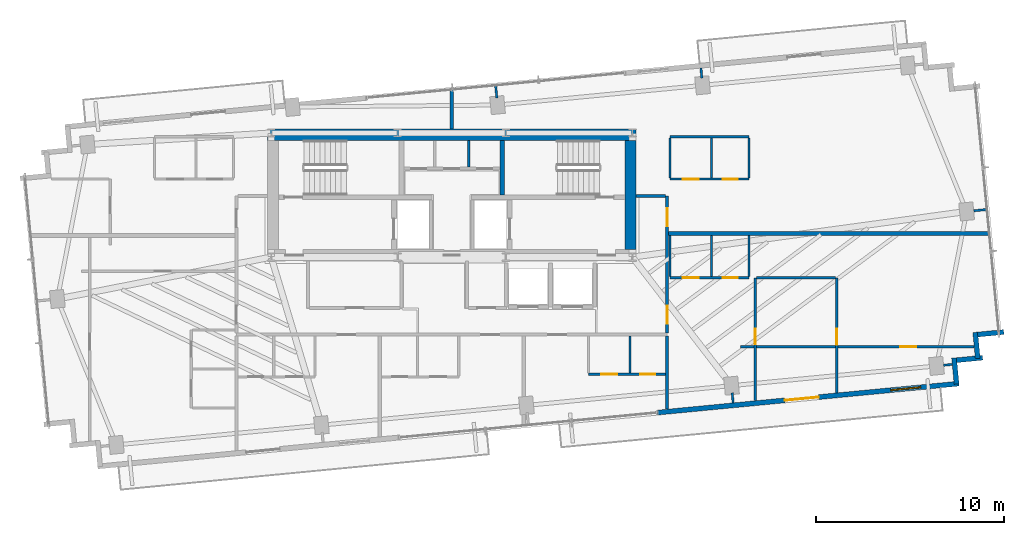
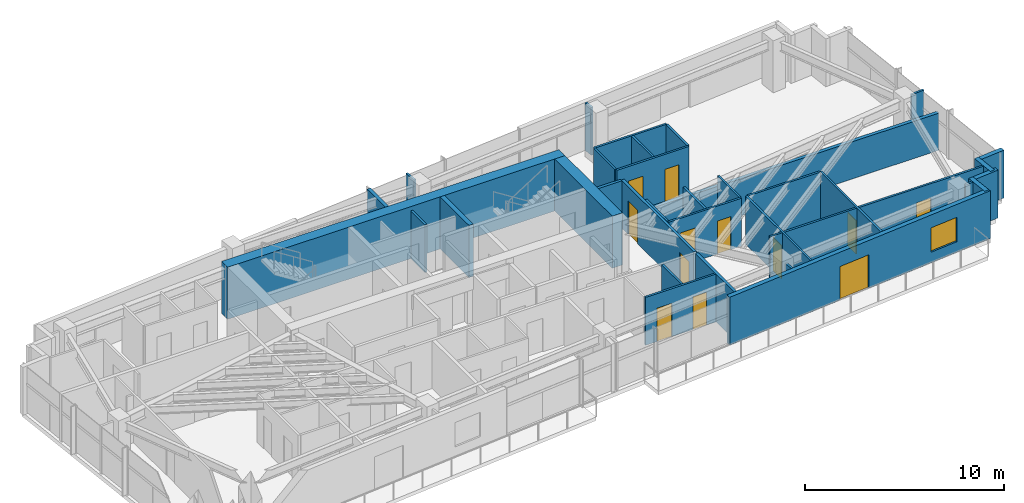
# One storey, part 15 of 18: 36 walls, 12 doors, 1 window, 13 openings.
"""IFC4 building model written with IfcOpenShell, lengths in metres."""

from ifc_helpers import new_model, si_unit, direction, frame, frame_2d, origin, place, context, subcontext, project, spatial, rectangle, extrude, source, transform, mapped, material, layer, layer_set, type_object, type_shapes, element, fill, save


model = new_model("IFC4")

# Units and contexts
model_context = context("Model", 3, precision=1e-05, world=origin(), true_north=direction((0.0, 1.0)))
body_context = subcontext(model_context, "Body", "Model", "MODEL_VIEW")
ifc_project = project(units=[si_unit("LENGTHUNIT", "METRE"), si_unit("AREAUNIT", "SQUARE_METRE"), si_unit("VOLUMEUNIT", "CUBIC_METRE"), si_unit("PLANEANGLEUNIT", "RADIAN"), si_unit("MASSUNIT", "GRAM", prefix="KILO")], contexts=[model_context])

# Site, building, storey
site_placement = place(None, origin())
site = spatial("IfcSite", under=ifc_project, at=site_placement, CompositionType="ELEMENT")
building_placement = place(site_placement, origin())
building = spatial("IfcBuilding", under=site, at=building_placement, Name="Astriad Promenade Condominiums", CompositionType="ELEMENT")
storey_placement = place(building_placement, frame((0.0, 0.0, 205.0)))
storey = spatial("IfcBuildingStorey", under=building, at=storey_placement, Name="L59", CompositionType="ELEMENT", Elevation=205.0)

# Walls
ifc_material_1 = material(Name="Concrete C50/60", Category="concrete")
ifc_layer_1 = layer(ifc_material_1, 0.60009765625)
ifc_layer_set_1 = layer_set([ifc_layer_1], Name="Concrete C50/60")
wall_type_1 = type_object("IfcWallType", Name="CW-SHEAR-600", PredefinedType="SHEAR", material=ifc_layer_set_1)
wall_1_placement = place(storey_placement, frame((26.199951171875, 23.89990234375, 0.0), z_axis=(0.0, 0.0, 1.0), x_axis=(1.0, 0.0, 0.0)))
element("IfcWall", 1, at=wall_1_placement, inside=storey, type_object=wall_type_1, Name="CW-CORE-N-L59", PredefinedType="SHEAR", context=body_context, shape_type="SweptSolid", body=[
    extrude(rectangle(XDim=19.60009765625, YDim=0.60009765625, at=frame_2d((9.800048828125, 0.0))), origin(), (0.0, 0.0, 1.0), 3.199951171875),
])
wall_2_placement = place(storey_placement, frame((45.5, 17.802001953125, 0.0), z_axis=(0.0, 0.0, 1.0), x_axis=(0.0, 1.0, 0.0)))
element("IfcWall", 2, at=wall_2_placement, inside=storey, type_object=wall_type_1, Name="CW-CORE-E-L59", PredefinedType="SHEAR", context=body_context, shape_type="SweptSolid", body=[
    extrude(rectangle(XDim=5.7958984375, YDim=0.60009765625, at=frame_2d((2.89794921875, 0.0))), origin(), (0.0, 0.0, 1.0), 3.199951171875),
])
ifc_layer_2 = layer(ifc_material_1, 0.25)
ifc_layer_set_2 = layer_set([ifc_layer_2], Name="Concrete C50/60")
wall_type_2 = type_object("IfcWallType", Name="WALL-CORE-INT-250", PredefinedType="SOLIDWALL", material=ifc_layer_set_2)
wall_3_placement = place(storey_placement, frame((38.675048828125, 20.701904296875, 0.0), z_axis=(0.0, 0.0, 1.0), x_axis=(0.0, 1.0, 0.0)))
element("IfcWall", 3, at=wall_3_placement, inside=storey, type_object=wall_type_2, Name="CW-ST2-W-L59", PredefinedType="SOLIDWALL", context=body_context, shape_type="SweptSolid", body=[
    extrude(rectangle(XDim=2.89599609375, YDim=0.25, at=frame_2d((1.447998046875, 0.0))), origin(), (0.0, 0.0, 1.0), 3.199951171875),
])
ifc_material_2 = material(Name="Fire-Rated Gypsum Partition")
ifc_layer_3 = layer(ifc_material_2, 0.159912109375)
ifc_layer_set_3 = layer_set([ifc_layer_3], Name="Fire-Rated Gypsum Partition")
wall_type_3 = type_object("IfcWallType", Name="WALL-CORR-160", PredefinedType="PARTITIONING", material=ifc_layer_set_3)
wall_4_placement = place(storey_placement, frame((47.449951171875, 9.315185546875, 0.0), z_axis=(0.0, 0.0, 1.0), x_axis=(0.0, 1.0, 0.0)))
element("IfcWall", 4, at=wall_4_placement, inside=storey, type_object=wall_type_3, Name="PT-COR-E-L59", PredefinedType="PARTITIONING", context=body_context, shape_type="SweptSolid", body=[
    extrude(rectangle(XDim=3.8828125, YDim=0.159912109375, at=frame_2d((1.94140625, 0.0))), origin(), (0.0, 0.0, 1.0), 2.93994140625),
])

# Wall, openings, doors
wall_5_placement = place(storey_placement, frame((47.449951171875, 13.362060546875, 0.0), z_axis=(0.0, 0.0, 1.0), x_axis=(0.0, 1.0, 0.0)))
wall_5 = element("IfcWall", 5, at=wall_5_placement, inside=storey, type_object=wall_type_3, Name="PT-COR-E-L59-S2", PredefinedType="PARTITIONING", context=body_context, shape_type="SweptSolid", body=[
    extrude(rectangle(XDim=7.287841796875, YDim=0.159912109375, at=frame_2d((3.64404296875, 0.0))), origin(), (0.0, 0.0, 1.0), 2.93994140625),
])
opening_1_placement = place(wall_5_placement, frame((0.492919921875, 0.0, 0.0)))
opening_1 = element("IfcOpeningElement", 6, at=opening_1_placement, cuts=wall_5, Name="Opening FD60-APT-095", PredefinedType="OPENING", context=body_context, shape_type="SweptSolid", body=[
    extrude(rectangle(XDim=0.949951171875, YDim=2.06005859375, at=frame_2d((0.47509765625, 1.030029296875))), frame((0.0, 0.08984375, 0.0), z_axis=(0.0, -1.0, 0.0), x_axis=(1.0, 0.0, 0.0)), (0.0, 0.0, 1.0), 0.179931640625),
])
opening_2_placement = place(wall_5_placement, frame((5.680908203125, 0.0, 0.0)))
opening_2 = element("IfcOpeningElement", 7, at=opening_2_placement, cuts=wall_5, Name="Opening FD60-APT-095", PredefinedType="OPENING", context=body_context, shape_type="SweptSolid", body=[
    extrude(rectangle(XDim=0.949951171875, YDim=2.06005859375, at=frame_2d((0.47509765625, 1.030029296875))), frame((0.0, 0.08984375, 0.0), z_axis=(0.0, -1.0, 0.0), x_axis=(1.0, 0.0, 0.0)), (0.0, 0.0, 1.0), 0.179931640625),
])
ifc_material_3 = material(Name="Solid-Core Acoustic Timber Residence Entry Door", Category="wood")
door_type_1 = type_object("IfcDoorType", Name="FD60-APT-095", OperationType="NOTDEFINED", PredefinedType="DOOR", material=ifc_material_3)
shared_shape_1 = source(origin(), body_context, "Body", "SweptSolid", [
    extrude(rectangle(XDim=0.949951171875, YDim=2.06005859375, at=frame_2d((0.47509765625, 1.030029296875))), frame((0.0, 0.02490234375, 0.0), z_axis=(0.0, -1.0, 0.0), x_axis=(1.0, 0.0, 0.0)), (0.0, 0.0, 1.0), 0.050048828125),
])
type_shapes(door_type_1, [shared_shape_1])
door_1_placement = place(opening_1_placement, origin())
door_1 = element("IfcDoor", 8, at=door_1_placement, inside=storey, type_object=door_type_1, Name="D-ENT-L59-E1", OperationType="SINGLE_SWING_LEFT", OverallHeight=2.06005859375, OverallWidth=0.949951171875, PredefinedType="DOOR", context=body_context, shape_type="MappedRepresentation", body=[
    mapped(shared_shape_1, transform((0.0, 0.0, 0.0), scale=1.0)),
])
fill(opening_1, door_1)
door_2_placement = place(opening_2_placement, origin())
door_2 = element("IfcDoor", 9, at=door_2_placement, inside=storey, type_object=door_type_1, Name="D-ENT-L59-E2", OperationType="SINGLE_SWING_LEFT", OverallHeight=2.06005859375, OverallWidth=0.949951171875, PredefinedType="DOOR", context=body_context, shape_type="MappedRepresentation", body=[
    mapped(shared_shape_1, transform((0.0, 0.0, 0.0), scale=1.0)),
])
fill(opening_2, door_2)

# Walls
wall_6_placement = place(storey_placement, frame((45.802001953125, 20.64990234375, 0.0), z_axis=(0.0, 0.0, 1.0), x_axis=(1.0, 0.0, 0.0)))
element("IfcWall", 10, at=wall_6_placement, inside=storey, type_object=wall_type_3, Name="PT-Z3E-N-L59", PredefinedType="PARTITIONING", context=body_context, shape_type="SweptSolid", body=[
    extrude(rectangle(XDim=1.56591796875, YDim=0.159912109375, at=frame_2d((0.782958984375, 0.0))), origin(), (0.0, 0.0, 1.0), 2.93994140625),
])
ifc_material_4 = material(Name="Acoustic Double-Stud Gypsum Partition")
ifc_layer_4 = layer(ifc_material_4, 0.199951171875)
ifc_layer_set_4 = layer_set([ifc_layer_4], Name="Acoustic Double-Stud Gypsum Partition")
wall_type_4 = type_object("IfcWallType", Name="WALL-DEMISING-200", PredefinedType="PARTITIONING", material=ifc_layer_set_4)
wall_7_placement = place(storey_placement, frame((36.0, 24.201904296875, 0.0), z_axis=(0.0, 0.0, 1.0), x_axis=(0.0, 1.0, 0.0)))
element("IfcWall", 11, at=wall_7_placement, inside=storey, type_object=wall_type_4, Name="PT-NC-MID-L59", PredefinedType="PARTITIONING", context=body_context, shape_type="SweptSolid", body=[
    extrude(rectangle(XDim=2.152099609375, YDim=0.199951171875, at=frame_2d((1.076171875, 0.0))), origin(), (0.0, 0.0, 1.0), 2.93994140625),
])
wall_8_placement = place(storey_placement, frame((47.531982421875, 18.64990234375, 0.0), z_axis=(0.0, 0.0, 1.0), x_axis=(1.0, 0.0, 0.0)))
element("IfcWall", 12, at=wall_8_placement, inside=storey, type_object=wall_type_4, Name="PT-DEM-EE-L59", PredefinedType="PARTITIONING", context=body_context, shape_type="SweptSolid", body=[
    extrude(rectangle(XDim=17.0947265625, YDim=0.199951171875, at=frame_2d((8.54736328125, 0.0))), origin(), (0.0, 0.0, 1.0), 2.281494140625),
])
ifc_material_5 = material(Name="Precast concrete C50/60", Category="concrete")
ifc_layer_5 = layer(ifc_material_5, 0.260009765625)
ifc_layer_set_5 = layer_set([ifc_layer_5], Name="Precast concrete C50/60")
wall_type_5 = type_object("IfcWallType", Name="WALL-EXT-TWR-260", PredefinedType="STANDARD", material=ifc_layer_set_5)
wall_9_placement = place(storey_placement, frame((65.341796875, 13.416748046875, 0.0), z_axis=(0.0, 0.0, 1.0), x_axis=(-0.99540774648, -0.095725744959, 0.0)))
element("IfcWall", 13, at=wall_9_placement, inside=storey, type_object=wall_type_5, Name="W-SER-L59-14", PredefinedType="STANDARD", context=body_context, shape_type="SweptSolid", body=[
    extrude(rectangle(XDim=1.39501953125, YDim=0.260009765625, at=frame_2d((0.697509765625, 0.0))), origin(), (0.0, 0.0, 1.0), 2.93994140625),
])
wall_10_placement = place(storey_placement, frame((63.826171875, 13.4013671875, 0.0), z_axis=(0.0, 0.0, 1.0), x_axis=(0.095915846097, -0.995389446633, 0.0)))
element("IfcWall", 14, at=wall_10_placement, inside=storey, type_object=wall_type_5, Name="W-SER-L59-15", PredefinedType="STANDARD", context=body_context, shape_type="SweptSolid", body=[
    extrude(rectangle(XDim=1.394775390625, YDim=0.260009765625, at=frame_2d((0.697265625, 0.0))), origin(), (0.0, 0.0, 1.0), 2.93994140625),
])
for number, where, z_axis, x_axis, name in (
    (15, (64.21728515625, 12.052734375, 0.0), (0.0, 0.0, 1.0), (-0.99540774648, -0.095725744959, 0.0), "W-SER-L59-16"),
    (16, (62.701904296875, 12.037353515625, 0.0), (0.0, 0.0, 1.0), (0.095725744959, -0.99540774648, 0.0), "W-SER-L59-17"),
):
    element("IfcWall", number, at=place(storey_placement, frame(where, z_axis=z_axis, x_axis=x_axis)), inside=storey, type_object=wall_type_5, Name=name, PredefinedType="STANDARD", context=body_context, shape_type="SweptSolid", body=[
        extrude(rectangle(XDim=1.39501953125, YDim=0.260009765625, at=frame_2d((0.697509765625, 0.0))), origin(), (0.0, 0.0, 1.0), 2.93994140625),
    ])

# Wall, openings, door, window
wall_11_placement = place(storey_placement, frame((62.96337890625, 10.67626953125, 0.0), z_axis=(0.0, 0.0, 1.0), x_axis=(-0.995395627913, -0.095851676732, 0.0)))
wall_11 = element("IfcWall", 17, at=wall_11_placement, inside=storey, type_object=wall_type_5, Name="W-EXT-L59-S1", PredefinedType="STANDARD", context=body_context, shape_type="SweptSolid", body=[
    extrude(rectangle(XDim=16.10009765625, YDim=0.260009765625, at=frame_2d((8.050048828125, 0.0))), origin(), (0.0, 0.0, 1.0), 2.93994140625),
])
opening_3_placement = place(wall_11_placement, frame((7.498046875, 0.0, 0.0)))
opening_3 = element("IfcOpeningElement", 18, at=opening_3_placement, cuts=wall_11, Name="Opening BD-1822-SLD", PredefinedType="OPENING", context=body_context, shape_type="SweptSolid", body=[
    extrude(rectangle(XDim=1.800048828125, YDim=2.06005859375, at=frame_2d((0.89990234375, 1.030029296875))), frame((0.0, 0.139892578125, 0.0), z_axis=(0.0, -1.0, 0.0), x_axis=(1.0, 0.0, 0.0)), (0.0, 0.0, 1.0), 0.280029296875),
])
opening_4_placement = place(wall_11_placement, frame((2.050048828125, 0.0, 0.64990234375)))
opening_4 = element("IfcOpeningElement", 19, at=opening_4_placement, cuts=wall_11, Name="Opening WIN-TWR-1620", PredefinedType="OPENING", context=body_context, shape_type="SweptSolid", body=[
    extrude(rectangle(XDim=1.60009765625, YDim=1.5, at=frame_2d((0.800048828125, 0.75))), frame((0.0, 0.139892578125, 0.0), z_axis=(0.0, -1.0, 0.0), x_axis=(1.0, 0.0, 0.0)), (0.0, 0.0, 1.0), 0.280029296875),
])
ifc_material_6 = material(Name="Thermally Broken Aluminium Sliding Balcony Door", Category="aluminium")
door_type_2 = type_object("IfcDoorType", Name="BD-1822-SLD", OperationType="NOTDEFINED", PredefinedType="DOOR", material=ifc_material_6)
shared_shape_2 = source(origin(), body_context, "Body", "SweptSolid", [
    extrude(rectangle(XDim=1.800048828125, YDim=2.06005859375, at=frame_2d((0.89990234375, 1.030029296875))), frame((0.0, 0.02490234375, 0.0), z_axis=(0.0, -1.0, 0.0), x_axis=(1.0, 0.0, 0.0)), (0.0, 0.0, 1.0), 0.050048828125),
])
type_shapes(door_type_2, [shared_shape_2])
door_3_placement = place(opening_3_placement, origin())
door_3 = element("IfcDoor", 20, at=door_3_placement, inside=storey, type_object=door_type_2, Name="BD-L59-SE", OperationType="SLIDING_TO_RIGHT", OverallHeight=2.06005859375, OverallWidth=1.800048828125, PredefinedType="DOOR", context=body_context, shape_type="MappedRepresentation", body=[
    mapped(shared_shape_2, transform((0.0, 0.0, 0.0), scale=1.0)),
])
fill(opening_3, door_3)
ifc_material_7 = material(Name="Dark Tinted Triple-Glazed Aluminium Window", Category="aluminium")
window_type = type_object("IfcWindowType", Name="WIN-TWR-1620", PartitioningType="SINGLE_PANEL", PredefinedType="WINDOW", material=ifc_material_7)
shared_shape_3 = source(origin(), body_context, "Body", "SweptSolid", [
    extrude(rectangle(XDim=1.60009765625, YDim=1.5, at=frame_2d((0.800048828125, 0.75))), frame((0.0, 0.030029296875, 0.0), z_axis=(0.0, -1.0, 0.0), x_axis=(1.0, 0.0, 0.0)), (0.0, 0.0, 1.0), 0.06005859375),
])
type_shapes(window_type, [shared_shape_3])
window_placement = place(opening_4_placement, origin())
window = element("IfcWindow", 21, at=window_placement, inside=storey, type_object=window_type, Name="WIN-L59-SE", OverallHeight=1.5, OverallWidth=1.60009765625, PartitioningType="SINGLE_PANEL", PredefinedType="WINDOW", context=body_context, shape_type="MappedRepresentation", body=[
    mapped(shared_shape_3, transform((0.0, 0.0, 0.0), scale=1.0)),
])
fill(opening_4, window)

# Wall
ifc_material_8 = material(Name="Acoustic Metal-Stud Gypsum Partition")
ifc_layer_6 = layer(ifc_material_8, 0.1201171875)
ifc_layer_set_6 = layer_set([ifc_layer_6], Name="Acoustic Metal-Stud Gypsum Partition")
wall_type_6 = type_object("IfcWallType", Name="WALL-PART-120", PredefinedType="PARTITIONING", material=ifc_layer_set_6)
wall_12_placement = place(storey_placement, frame((36.89990234375, 22.181884765625, 0.0), z_axis=(0.0, 0.0, 1.0), x_axis=(0.0, 1.0, 0.0)))
element("IfcWall", 22, at=wall_12_placement, inside=storey, type_object=wall_type_6, Name="CW-AUX-V2-L59", PredefinedType="PARTITIONING", context=body_context, shape_type="SweptSolid", body=[
    extrude(rectangle(XDim=1.416015625, YDim=0.1201171875, at=frame_2d((0.7080078125, 0.0))), origin(), (0.0, 0.0, 1.0), 2.93994140625),
])

# Wall, openings, doors
wall_13_placement = place(storey_placement, frame((43.27001953125, 11.172119140625, 0.0), z_axis=(0.0, 0.0, 1.0), x_axis=(1.0, 0.0, 0.0)))
wall_13 = element("IfcWall", 23, at=wall_13_placement, inside=storey, type_object=wall_type_6, Name="PT-L59-S3-PS", PredefinedType="PARTITIONING", context=body_context, shape_type="SweptSolid", body=[
    extrude(rectangle(XDim=4.097900390625, YDim=0.1201171875, at=frame_2d((2.048828125, 0.0))), origin(), (0.0, 0.0, 1.0), 2.93994140625),
])
opening_5_placement = place(wall_13_placement, frame((0.675048828125, 0.0, 0.0)))
opening_5 = element("IfcOpeningElement", 24, at=opening_5_placement, cuts=wall_13, Name="Opening D-INT-085", PredefinedType="OPENING", context=body_context, shape_type="SweptSolid", body=[
    extrude(rectangle(XDim=0.85009765625, YDim=2.050048828125, at=frame_2d((0.425048828125, 1.02490234375))), frame((0.0, 0.070068359375, 0.0), z_axis=(0.0, -1.0, 0.0), x_axis=(1.0, 0.0, 0.0)), (0.0, 0.0, 1.0), 0.14013671875),
])
opening_6_placement = place(wall_13_placement, frame((2.75, 0.0, 0.0)))
opening_6 = element("IfcOpeningElement", 25, at=opening_6_placement, cuts=wall_13, Name="Opening D-WET-080", PredefinedType="OPENING", context=body_context, shape_type="SweptSolid", body=[
    extrude(rectangle(XDim=0.800048828125, YDim=2.02001953125, at=frame_2d((0.39990234375, 1.010009765625))), frame((0.0, 0.070068359375, 0.0), z_axis=(0.0, -1.0, 0.0), x_axis=(1.0, 0.0, 0.0)), (0.0, 0.0, 1.0), 0.14013671875),
])
ifc_material_9 = material(Name="Moisture-Resistant Timber Bathroom Door", Category="wood")
door_type_3 = type_object("IfcDoorType", Name="D-WET-080", OperationType="NOTDEFINED", PredefinedType="DOOR", material=ifc_material_9)
shared_shape_4 = source(origin(), body_context, "Body", "SweptSolid", [
    extrude(rectangle(XDim=0.800048828125, YDim=2.02001953125, at=frame_2d((0.39990234375, 1.010009765625))), frame((0.0, 0.02490234375, 0.0), z_axis=(0.0, -1.0, 0.0), x_axis=(1.0, 0.0, 0.0)), (0.0, 0.0, 1.0), 0.050048828125),
])
type_shapes(door_type_3, [shared_shape_4])
door_4_placement = place(opening_6_placement, origin())
door_4 = element("IfcDoor", 26, at=door_4_placement, inside=storey, type_object=door_type_3, Name="D-BTH-L59-S3", OperationType="SINGLE_SWING_LEFT", OverallHeight=2.02001953125, OverallWidth=0.800048828125, PredefinedType="DOOR", context=body_context, shape_type="MappedRepresentation", body=[
    mapped(shared_shape_4, transform((0.0, 0.0, 0.0), scale=1.0)),
])
fill(opening_6, door_4)
ifc_material_10 = material(Name="Painted Solid-Core Timber Room Door", Category="wood")
door_type_4 = type_object("IfcDoorType", Name="D-INT-085", OperationType="NOTDEFINED", PredefinedType="DOOR", material=ifc_material_10)
shared_shape_5 = source(origin(), body_context, "Body", "SweptSolid", [
    extrude(rectangle(XDim=0.85009765625, YDim=2.050048828125, at=frame_2d((0.425048828125, 1.02490234375))), frame((0.0, 0.02490234375, 0.0), z_axis=(0.0, -1.0, 0.0), x_axis=(1.0, 0.0, 0.0)), (0.0, 0.0, 1.0), 0.050048828125),
])
type_shapes(door_type_4, [shared_shape_5])
door_5_placement = place(opening_5_placement, origin())
door_5 = element("IfcDoor", 27, at=door_5_placement, inside=storey, type_object=door_type_4, Name="D-KIT-L59-S3", OperationType="SINGLE_SWING_RIGHT", OverallHeight=2.050048828125, OverallWidth=0.85009765625, PredefinedType="DOOR", context=body_context, shape_type="MappedRepresentation", body=[
    mapped(shared_shape_5, transform((0.0, 0.0, 0.0), scale=1.0)),
])
fill(opening_5, door_5)

# Wall
wall_14_placement = place(storey_placement, frame((45.469970703125, 11.23388671875, 0.0), z_axis=(0.0, 0.0, 1.0), x_axis=(0.0, 1.0, 0.0)))
element("IfcWall", 28, at=wall_14_placement, inside=storey, type_object=wall_type_6, Name="PT-L59-S3-PB", PredefinedType="PARTITIONING", context=body_context, shape_type="SweptSolid", body=[
    extrude(rectangle(XDim=1.964111328125, YDim=0.1201171875, at=frame_2d((0.98193359375, 0.0))), origin(), (0.0, 0.0, 1.0), 2.93994140625),
])

# Wall, openings, doors
wall_15_placement = place(storey_placement, frame((47.60009765625, 16.300048828125, 0.0), z_axis=(0.0, 0.0, 1.0), x_axis=(1.0, 0.0, 0.0)))
wall_15 = element("IfcWall", 29, at=wall_15_placement, inside=storey, type_object=wall_type_6, Name="PT-L59-E1-PH", PredefinedType="PARTITIONING", context=body_context, shape_type="SweptSolid", body=[
    extrude(rectangle(XDim=4.199951171875, YDim=0.1201171875, at=frame_2d((2.10009765625, 0.0))), origin(), (0.0, 0.0, 1.0), 2.93994140625),
])
opening_7_placement = place(wall_15_placement, frame((0.675048828125, 0.0, 0.0)))
opening_7 = element("IfcOpeningElement", 30, at=opening_7_placement, cuts=wall_15, Name="Opening D-INT-085", PredefinedType="OPENING", context=body_context, shape_type="SweptSolid", body=[
    extrude(rectangle(XDim=0.85009765625, YDim=2.050048828125, at=frame_2d((0.425048828125, 1.02490234375))), frame((0.0, 0.070068359375, 0.0), z_axis=(0.0, -1.0, 0.0), x_axis=(1.0, 0.0, 0.0)), (0.0, 0.0, 1.0), 0.14013671875),
])
opening_8_placement = place(wall_15_placement, frame((2.800048828125, 0.0, 0.0)))
opening_8 = element("IfcOpeningElement", 31, at=opening_8_placement, cuts=wall_15, Name="Opening D-WET-080", PredefinedType="OPENING", context=body_context, shape_type="SweptSolid", body=[
    extrude(rectangle(XDim=0.800048828125, YDim=2.02001953125, at=frame_2d((0.39990234375, 1.010009765625))), frame((0.0, 0.070068359375, 0.0), z_axis=(0.0, -1.0, 0.0), x_axis=(1.0, 0.0, 0.0)), (0.0, 0.0, 1.0), 0.14013671875),
])
door_6_placement = place(opening_8_placement, origin())
door_6 = element("IfcDoor", 32, at=door_6_placement, inside=storey, type_object=door_type_3, Name="D-BTH-L59-E1", OperationType="SINGLE_SWING_RIGHT", OverallHeight=2.02001953125, OverallWidth=0.800048828125, PredefinedType="DOOR", context=body_context, shape_type="MappedRepresentation", body=[
    mapped(shared_shape_4, transform((0.0, 0.0, 0.0), scale=1.0)),
])
fill(opening_8, door_6)
door_7_placement = place(opening_7_placement, origin())
door_7 = element("IfcDoor", 33, at=door_7_placement, inside=storey, type_object=door_type_4, Name="D-KIT-L59-E1", OperationType="SINGLE_SWING_LEFT", OverallHeight=2.050048828125, OverallWidth=0.85009765625, PredefinedType="DOOR", context=body_context, shape_type="MappedRepresentation", body=[
    mapped(shared_shape_5, transform((0.0, 0.0, 0.0), scale=1.0)),
])
fill(opening_7, door_7)

# Walls
for number, where, z_axis, x_axis, name in (
    (34, (47.60009765625, 16.362060546875, 0.0), (0.0, 0.0, 1.0), (0.0, 1.0, 0.0), "PT-L59-E1-PK1"),
    (35, (49.800048828125, 16.362060546875, 0.0), (0.0, 0.0, 1.0), (0.0, 1.0, 0.0), "PT-L59-E1-PK2"),
    (36, (51.800048828125, 16.362060546875, 0.0), (0.0, 0.0, 1.0), (0.0, 1.0, 0.0), "PT-L59-E1-PK3"),
):
    element("IfcWall", number, at=place(storey_placement, frame(where, z_axis=z_axis, x_axis=x_axis)), inside=storey, type_object=wall_type_6, Name=name, PredefinedType="PARTITIONING", context=body_context, shape_type="SweptSolid", body=[
        extrude(rectangle(XDim=2.18603515625, YDim=0.1201171875, at=frame_2d((1.093017578125, 0.0))), origin(), (0.0, 0.0, 1.0), 2.93994140625),
    ])

# Wall, opening, door
wall_16_placement = place(storey_placement, frame((52.1298828125, 9.765625, 0.0), z_axis=(0.0, 0.0, 1.0), x_axis=(0.0, 1.0, 0.0)))
wall_16 = element("IfcWall", 37, at=wall_16_placement, inside=storey, type_object=wall_type_6, Name="PT-L59-E1-CAP1", PredefinedType="PARTITIONING", context=body_context, shape_type="SweptSolid", body=[
    extrude(rectangle(XDim=6.534423828125, YDim=0.1201171875, at=frame_2d((3.26708984375, 0.0))), origin(), (0.0, 0.0, 1.0), 2.93994140625),
])
opening_9_placement = place(wall_16_placement, frame((2.9892578125, 0.0, 0.0)))
opening_9 = element("IfcOpeningElement", 38, at=opening_9_placement, cuts=wall_16, Name="Opening D-INT-085", PredefinedType="OPENING", context=body_context, shape_type="SweptSolid", body=[
    extrude(rectangle(XDim=0.85009765625, YDim=2.050048828125, at=frame_2d((0.425048828125, 1.02490234375))), frame((0.0, 0.070068359375, 0.0), z_axis=(0.0, -1.0, 0.0), x_axis=(1.0, 0.0, 0.0)), (0.0, 0.0, 1.0), 0.14013671875),
])
door_8_placement = place(opening_9_placement, origin())
door_8 = element("IfcDoor", 39, at=door_8_placement, inside=storey, type_object=door_type_4, Name="D-CAP1-L59-E1", OperationType="SINGLE_SWING_RIGHT", OverallHeight=2.050048828125, OverallWidth=0.85009765625, PredefinedType="DOOR", context=body_context, shape_type="MappedRepresentation", body=[
    mapped(shared_shape_5, transform((0.0, 0.0, 0.0), scale=1.0)),
])
fill(opening_9, door_8)

wall_17_placement = place(storey_placement, frame((56.4599609375, 10.1826171875, 0.0), z_axis=(0.0, 0.0, 1.0), x_axis=(0.0, 1.0, 0.0)))
wall_17 = element("IfcWall", 40, at=wall_17_placement, inside=storey, type_object=wall_type_6, Name="PT-L59-E1-CAP2", PredefinedType="PARTITIONING", context=body_context, shape_type="SweptSolid", body=[
    extrude(rectangle(XDim=6.117431640625, YDim=0.1201171875, at=frame_2d((3.05859375, 0.0))), origin(), (0.0, 0.0, 1.0), 2.93994140625),
])
opening_10_placement = place(wall_17_placement, frame((2.556396484375, 0.0, 0.0)))
opening_10 = element("IfcOpeningElement", 41, at=opening_10_placement, cuts=wall_17, Name="Opening D-INT-085", PredefinedType="OPENING", context=body_context, shape_type="SweptSolid", body=[
    extrude(rectangle(XDim=0.85009765625, YDim=2.050048828125, at=frame_2d((0.425048828125, 1.02490234375))), frame((0.0, 0.070068359375, 0.0), z_axis=(0.0, -1.0, 0.0), x_axis=(1.0, 0.0, 0.0)), (0.0, 0.0, 1.0), 0.14013671875),
])
door_9_placement = place(opening_10_placement, origin())
door_9 = element("IfcDoor", 42, at=door_9_placement, inside=storey, type_object=door_type_4, Name="D-CAP2-L59-E1", OperationType="SINGLE_SWING_LEFT", OverallHeight=2.050048828125, OverallWidth=0.85009765625, PredefinedType="DOOR", context=body_context, shape_type="MappedRepresentation", body=[
    mapped(shared_shape_5, transform((0.0, 0.0, 0.0), scale=1.0)),
])
fill(opening_10, door_9)

# Walls
wall_18_placement = place(storey_placement, frame((52.19189453125, 16.300048828125, 0.0), z_axis=(0.0, 0.0, 1.0), x_axis=(1.0, 0.0, 0.0)))
element("IfcWall", 43, at=wall_18_placement, inside=storey, type_object=wall_type_6, Name="PT-L59-E1-CAP2H", PredefinedType="PARTITIONING", context=body_context, shape_type="SweptSolid", body=[
    extrude(rectangle(XDim=4.2060546875, YDim=0.1201171875, at=frame_2d((2.10302734375, 0.0))), origin(), (0.0, 0.0, 1.0), 2.93994140625),
])
wall_19_placement = place(storey_placement, frame((51.360107421875, 12.637939453125, 0.0), z_axis=(0.0, 0.0, 1.0), x_axis=(1.0, 0.0, 0.0)))
element("IfcWall", 44, at=wall_19_placement, inside=storey, type_object=wall_type_6, Name="PT-L59-E1-CAPH3", PredefinedType="PARTITIONING", context=body_context, shape_type="SweptSolid", body=[
    extrude(rectangle(XDim=0.7080078125, YDim=0.1201171875, at=frame_2d((0.35400390625, 0.0))), origin(), (0.0, 0.0, 1.0), 2.93994140625),
])
wall_20_placement = place(storey_placement, frame((52.19189453125, 12.637939453125, 0.0), z_axis=(0.0, 0.0, 1.0), x_axis=(1.0, 0.0, 0.0)))
element("IfcWall", 45, at=wall_20_placement, inside=storey, type_object=wall_type_6, Name="PT-L59-E1-CAPH3-S2", PredefinedType="PARTITIONING", context=body_context, shape_type="SweptSolid", body=[
    extrude(rectangle(XDim=4.2060546875, YDim=0.1201171875, at=frame_2d((2.10302734375, 0.0))), origin(), (0.0, 0.0, 1.0), 2.93994140625),
])

# Wall, opening, door
wall_21_placement = place(storey_placement, frame((56.52197265625, 12.637939453125, 0.0), z_axis=(0.0, 0.0, 1.0), x_axis=(1.0, 0.0, 0.0)))
wall_21 = element("IfcWall", 46, at=wall_21_placement, inside=storey, type_object=wall_type_6, Name="PT-L59-E1-CAPH3-S3", PredefinedType="PARTITIONING", context=body_context, shape_type="SweptSolid", body=[
    extrude(rectangle(XDim=7.2451171875, YDim=0.1201171875, at=frame_2d((3.62255859375, 0.0))), origin(), (0.0, 0.0, 1.0), 2.93994140625),
])
opening_11_placement = place(wall_21_placement, frame((3.330078125, 0.0, 0.0)))
opening_11 = element("IfcOpeningElement", 47, at=opening_11_placement, cuts=wall_21, Name="Opening D-INT-085", PredefinedType="OPENING", context=body_context, shape_type="SweptSolid", body=[
    extrude(rectangle(XDim=0.85009765625, YDim=2.050048828125, at=frame_2d((0.425048828125, 1.02490234375))), frame((0.0, 0.070068359375, 0.0), z_axis=(0.0, -1.0, 0.0), x_axis=(1.0, 0.0, 0.0)), (0.0, 0.0, 1.0), 0.14013671875),
])
door_10_placement = place(opening_11_placement, origin())
door_10 = element("IfcDoor", 48, at=door_10_placement, inside=storey, type_object=door_type_4, Name="D-CAPH3-L59-E1", OperationType="SINGLE_SWING_RIGHT", OverallHeight=2.050048828125, OverallWidth=0.85009765625, PredefinedType="DOOR", context=body_context, shape_type="MappedRepresentation", body=[
    mapped(shared_shape_5, transform((0.0, 0.0, 0.0), scale=1.0)),
])
fill(opening_11, door_10)

# Wall, openings, doors
wall_22_placement = place(storey_placement, frame((47.60009765625, 21.550048828125, 0.0), z_axis=(0.0, 0.0, 1.0), x_axis=(1.0, 0.0, 0.0)))
wall_22 = element("IfcWall", 49, at=wall_22_placement, inside=storey, type_object=wall_type_6, Name="PT-L59-E2-PH", PredefinedType="PARTITIONING", context=body_context, shape_type="SweptSolid", body=[
    extrude(rectangle(XDim=4.199951171875, YDim=0.1201171875, at=frame_2d((2.10009765625, 0.0))), origin(), (0.0, 0.0, 1.0), 2.93994140625),
])
opening_12_placement = place(wall_22_placement, frame((0.675048828125, 0.0, 0.0)))
opening_12 = element("IfcOpeningElement", 50, at=opening_12_placement, cuts=wall_22, Name="Opening D-INT-085", PredefinedType="OPENING", context=body_context, shape_type="SweptSolid", body=[
    extrude(rectangle(XDim=0.85009765625, YDim=2.050048828125, at=frame_2d((0.425048828125, 1.02490234375))), frame((0.0, 0.070068359375, 0.0), z_axis=(0.0, -1.0, 0.0), x_axis=(1.0, 0.0, 0.0)), (0.0, 0.0, 1.0), 0.14013671875),
])
opening_13_placement = place(wall_22_placement, frame((2.800048828125, 0.0, 0.0)))
opening_13 = element("IfcOpeningElement", 51, at=opening_13_placement, cuts=wall_22, Name="Opening D-WET-080", PredefinedType="OPENING", context=body_context, shape_type="SweptSolid", body=[
    extrude(rectangle(XDim=0.800048828125, YDim=2.02001953125, at=frame_2d((0.39990234375, 1.010009765625))), frame((0.0, 0.070068359375, 0.0), z_axis=(0.0, -1.0, 0.0), x_axis=(1.0, 0.0, 0.0)), (0.0, 0.0, 1.0), 0.14013671875),
])
door_11_placement = place(opening_13_placement, origin())
door_11 = element("IfcDoor", 52, at=door_11_placement, inside=storey, type_object=door_type_3, Name="D-BTH-L59-E2", OperationType="SINGLE_SWING_LEFT", OverallHeight=2.02001953125, OverallWidth=0.800048828125, PredefinedType="DOOR", context=body_context, shape_type="MappedRepresentation", body=[
    mapped(shared_shape_4, transform((0.0, 0.0, 0.0), scale=1.0)),
])
fill(opening_13, door_11)
door_12_placement = place(opening_12_placement, origin())
door_12 = element("IfcDoor", 53, at=door_12_placement, inside=storey, type_object=door_type_4, Name="D-KIT-L59-E2", OperationType="SINGLE_SWING_RIGHT", OverallHeight=2.050048828125, OverallWidth=0.85009765625, PredefinedType="DOOR", context=body_context, shape_type="MappedRepresentation", body=[
    mapped(shared_shape_5, transform((0.0, 0.0, 0.0), scale=1.0)),
])
fill(opening_12, door_12)

# Walls
wall_23_placement = place(storey_placement, frame((47.60009765625, 23.800048828125, 0.0), z_axis=(0.0, 0.0, 1.0), x_axis=(1.0, 0.0, 0.0)))
element("IfcWall", 54, at=wall_23_placement, inside=storey, type_object=wall_type_6, Name="PT-L59-E2-PHN", PredefinedType="PARTITIONING", context=body_context, shape_type="SweptSolid", body=[
    extrude(rectangle(XDim=4.199951171875, YDim=0.1201171875, at=frame_2d((2.10009765625, 0.0))), origin(), (0.0, 0.0, 1.0), 2.93994140625),
])
for number, where, z_axis, x_axis, name in (
    (55, (47.60009765625, 21.612060546875, 0.0), (0.0, 0.0, 1.0), (0.0, 1.0, 0.0), "PT-L59-E2-PK1"),
    (56, (49.800048828125, 21.612060546875, 0.0), (0.0, 0.0, 1.0), (0.0, 1.0, 0.0), "PT-L59-E2-PK2"),
    (57, (51.800048828125, 21.612060546875, 0.0), (0.0, 0.0, 1.0), (0.0, 1.0, 0.0), "PT-L59-E2-PK3"),
):
    element("IfcWall", number, at=place(storey_placement, frame(where, z_axis=z_axis, x_axis=x_axis)), inside=storey, type_object=wall_type_6, Name=name, PredefinedType="PARTITIONING", context=body_context, shape_type="SweptSolid", body=[
        extrude(rectangle(XDim=2.1259765625, YDim=0.1201171875, at=frame_2d((1.06298828125, 0.0))), origin(), (0.0, 0.0, 1.0), 2.93994140625),
    ])
wall_24_placement = place(storey_placement, frame((50.90478515625, 10.18798828125, 0.0), z_axis=(0.0, 0.0, 1.0), x_axis=(0.095772948675, -0.995403205893, 0.0)))
element("IfcWall", 58, at=wall_24_placement, inside=storey, type_object=wall_type_6, Name="PT-PIL-L59-PC04-11", PredefinedType="PARTITIONING", context=body_context, shape_type="SweptSolid", body=[
    extrude(rectangle(XDim=0.537841796875, YDim=0.1201171875, at=frame_2d((0.26904296875, 0.0))), origin(), (0.0, 0.0, 1.0), 2.93994140625),
])
wall_25_placement = place(storey_placement, frame((62.146240234375, 11.65234375, 0.0), z_axis=(0.0, 0.0, 1.0), x_axis=(0.995384576284, 0.09596637586, 0.0)))
element("IfcWall", 59, at=wall_25_placement, inside=storey, type_object=wall_type_6, Name="PT-PIL-L59-PC05-12", PredefinedType="PARTITIONING", context=body_context, shape_type="SweptSolid", body=[
    extrude(rectangle(XDim=0.4580078125, YDim=0.1201171875, at=frame_2d((0.22900390625, 0.0))), origin(), (0.0, 0.0, 1.0), 2.93994140625),
])
wall_26_placement = place(storey_placement, frame((38.39501953125, 25.861328125, 0.0), z_axis=(0.0, 0.0, 1.0), x_axis=(-0.095977354523, 0.995383517755, 0.0)))
element("IfcWall", 60, at=wall_26_placement, inside=storey, type_object=wall_type_6, Name="PT-PIL-L59-PC08-15", PredefinedType="PARTITIONING", context=body_context, shape_type="SweptSolid", body=[
    extrude(rectangle(XDim=0.719970703125, YDim=0.1201171875, at=frame_2d((0.35986328125, 0.0))), origin(), (0.0, 0.0, 1.0), 2.93994140625),
])
wall_27_placement = place(storey_placement, frame((49.29443359375, 26.910888671875, 0.0), z_axis=(0.0, 0.0, 1.0), x_axis=(-0.095772948675, 0.995403205893, 0.0)))
element("IfcWall", 61, at=wall_27_placement, inside=storey, type_object=wall_type_6, Name="PT-PIL-L59-PC09-16", PredefinedType="PARTITIONING", context=body_context, shape_type="SweptSolid", body=[
    extrude(rectangle(XDim=0.537841796875, YDim=0.1201171875, at=frame_2d((0.26904296875, 0.0))), origin(), (0.0, 0.0, 1.0), 2.93994140625),
])
wall_28_placement = place(storey_placement, frame((63.74658203125, 19.863525390625, 0.0), z_axis=(0.0, 0.0, 1.0), x_axis=(0.995405496295, 0.095749140702, 0.0)))
element("IfcWall", 62, at=wall_28_placement, inside=storey, type_object=wall_type_6, Name="PT-PIL-L59-PC12-19", PredefinedType="PARTITIONING", context=body_context, shape_type="SweptSolid", body=[
    extrude(rectangle(XDim=0.759765625, YDim=0.1201171875, at=frame_2d((0.3798828125, 0.0))), origin(), (0.0, 0.0, 1.0), 2.93994140625),
])

save(model, "model.ifc")
